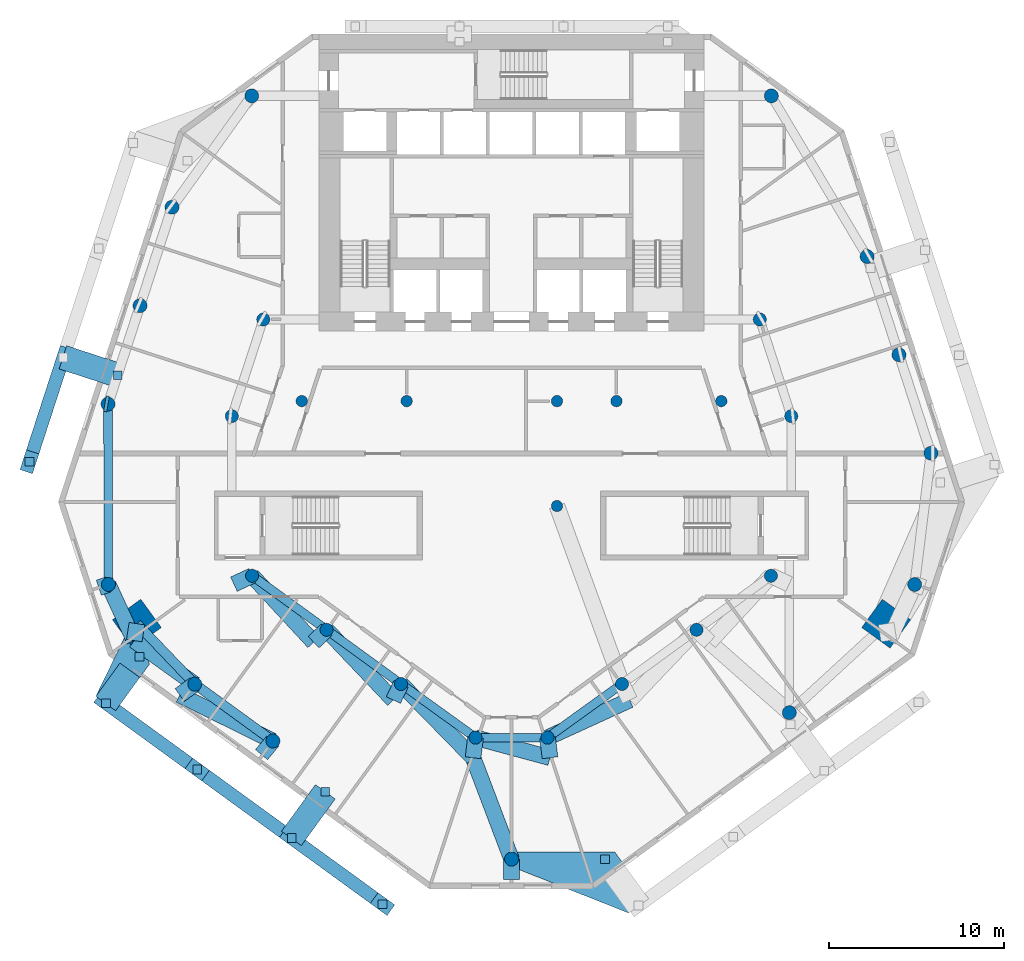
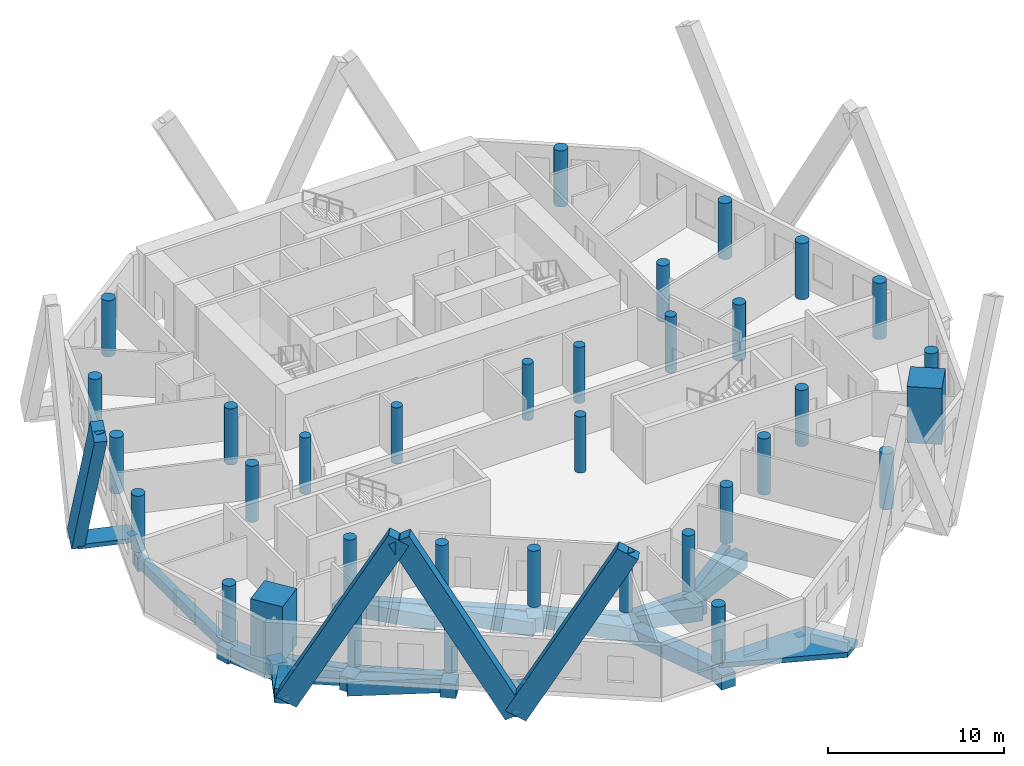
# One storey, part 1 of 11: 34 columns, 28 beams, 9 discrete accessories, 9 members.
"""IFC4 building model written with IfcOpenShell, lengths in metres."""

from ifc_helpers import new_model, si_unit, direction, frame, origin, origin_2d, place, context, subcontext, project, spatial, polyline, rectangle, circle, outline, extrude, material, layer, layer_set, material_profile, profile_set, type_object, element, aggregate, save


model = new_model("IFC4")

# Units and contexts
model_context = context("Model", 3, precision=1e-05, world=origin(), true_north=direction((0.0, 1.0)))
body_context = subcontext(model_context, "Body", "Model", "MODEL_VIEW")
ifc_project = project(units=[si_unit("LENGTHUNIT", "METRE"), si_unit("AREAUNIT", "SQUARE_METRE"), si_unit("VOLUMEUNIT", "CUBIC_METRE"), si_unit("PLANEANGLEUNIT", "RADIAN"), si_unit("MASSUNIT", "GRAM", prefix="KILO")], contexts=[model_context])

# Site, building, storey
site_placement = place(None, origin())
site = spatial("IfcSite", under=ifc_project, at=site_placement, CompositionType="ELEMENT")
building_placement = place(site_placement, origin())
building = spatial("IfcBuilding", under=site, at=building_placement, Name="White Candle Pilgrim Tower", CompositionType="ELEMENT")
storey_placement = place(building_placement, frame((0.0, 0.0, 90.800048828125)))
storey = spatial("IfcBuildingStorey", under=building, at=storey_placement, Name="L19", CompositionType="ELEMENT", Elevation=90.800048828125)

# Columns
ifc_material_1 = material(Name="Concrete C80/95", Category="concrete")
ifc_material_profile_1 = material_profile(ifc_material_1, circle(Radius=0.324951171875, at=origin_2d()), Name="RC-COL D650")
ifc_profile_set_1 = profile_set([ifc_material_profile_1], Name="Concrete C80/95")
column_type_1 = type_object("IfcColumnType", Name="Interior column RC-COL D650 C80/95", PredefinedType="COLUMN", material=ifc_profile_set_1)
for number, where, z_axis, x_axis, name in (
    (1, (58.0, 67.0, 0.0), (0.0, 0.0, 1.0), (1.0, 0.0, 0.0), "L19 column I01"),
    (2, (64.0, 67.0, 0.0), (0.0, 0.0, 1.0), (1.0, 0.0, 0.0), "L19 column I02"),
    (3, (72.60009765625, 61.0, 0.0), (0.0, 0.0, 1.0), (1.0, 0.0, 0.0), "L19 column I03"),
    (4, (72.60009765625, 67.0, 0.0), (0.0, 0.0, 1.0), (1.0, 0.0, 0.0), "L19 column I04"),
    (5, (76.0, 67.0, 0.0), (0.0, 0.0, 1.0), (1.0, 0.0, 0.0), "L19 column I05"),
    (6, (82.0, 67.0, 0.0), (0.0, 0.0, 1.0), (1.0, 0.0, 0.0), "L19 column I06"),
):
    element("IfcColumn", number, at=place(storey_placement, frame(where, z_axis=z_axis, x_axis=x_axis)), inside=storey, type_object=column_type_1, Name=name, PredefinedType="COLUMN", context=body_context, shape_type="SweptSolid", body=[
        extrude(circle(Radius=0.324951171875, at=origin_2d()), origin(), (0.0, 0.0, 1.0), 3.89990234375),
    ])
ifc_material_profile_2 = material_profile(ifc_material_1, rectangle(XDim=2.0, YDim=2.0, at=origin_2d()), Name="RC 2000x2000")
ifc_profile_set_2 = profile_set([ifc_material_profile_2], Name="Concrete C80/95")
column_type_2 = type_object("IfcColumnType", Name="Mega column RC 2000x2000 C80/95", PredefinedType="COLUMN", material=ifc_profile_set_2)
for number, where, z_axis, x_axis, name in (
    (7, (48.570068359375, 54.27001953125, 0.0), (0.0, 0.0, 1.0), (-0.809016994375, -0.587785252292, 0.0), "L19 mega column T02"),
    (8, (91.429931640625, 54.27001953125, 0.0), (0.0, 0.0, 1.0), (0.809016994375, -0.587785252292, 0.0), "L19 mega column T07"),
):
    element("IfcColumn", number, at=place(storey_placement, frame(where, z_axis=z_axis, x_axis=x_axis)), inside=storey, type_object=column_type_2, Name=name, PredefinedType="COLUMN", context=body_context, shape_type="SweptSolid", body=[
        extrude(rectangle(XDim=2.0, YDim=2.0, at=origin_2d()), origin(), (0.0, 0.0, 1.0), 3.89990234375),
    ])
ifc_material_profile_3 = material_profile(ifc_material_1, circle(Radius=0.39990234375, at=origin_2d()), Name="RC-COL D800")
ifc_profile_set_3 = profile_set([ifc_material_profile_3], Name="Concrete C80/95")
column_type_3 = type_object("IfcColumnType", Name="Perimeter column RC-COL D800 C80/95", PredefinedType="COLUMN", material=ifc_profile_set_3)
for number, where, z_axis, x_axis, name in (
    (9, (46.93994140625, 56.510009765625, 0.0), (0.0, 0.0, 1.0), (1.0, 0.0, 0.0), "L19 column T01"),
    (10, (51.8798828125, 50.81005859375, 0.0), (0.0, 0.0, 1.0), (1.0, 0.0, 0.0), "L19 column T03"),
    (11, (56.35009765625, 47.56005859375, 0.0), (0.0, 0.0, 1.0), (1.0, 0.0, 0.0), "L19 column T04"),
    (12, (70.0, 40.800048828125, 0.0), (0.0, 0.0, 1.0), (1.0, 0.0, 0.0), "L19 column T05"),
    (13, (85.889892578125, 49.179931640625, 0.0), (0.0, 0.0, 1.0), (1.0, 0.0, 0.0), "L19 column T06"),
    (14, (93.06005859375, 56.510009765625, 0.0), (0.0, 0.0, 1.0), (1.0, 0.0, 0.0), "L19 column T08"),
    (15, (93.989990234375, 64.02001953125, 0.0), (0.0, 0.0, 1.0), (1.0, 0.0, 0.0), "L19 column T09"),
    (16, (92.159912109375, 69.64990234375, 0.0), (0.0, 0.0, 1.0), (1.0, 0.0, 0.0), "L19 column T10"),
    (17, (90.340087890625, 75.27001953125, 0.0), (0.0, 0.0, 1.0), (1.0, 0.0, 0.0), "L19 column T11"),
    (18, (84.860107421875, 84.4599609375, 0.0), (0.0, 0.0, 1.0), (1.0, 0.0, 0.0), "L19 column T12"),
    (19, (55.139892578125, 84.4599609375, 0.0), (0.0, 0.0, 1.0), (1.0, 0.0, 0.0), "L19 column T13"),
    (20, (50.580078125, 78.090087890625, 0.0), (0.0, 0.0, 1.0), (1.0, 0.0, 0.0), "L19 column T14"),
    (21, (48.75, 72.4599609375, 0.0), (0.0, 0.0, 1.0), (1.0, 0.0, 0.0), "L19 column T15"),
    (22, (46.919921875, 66.830078125, 0.0), (0.0, 0.0, 1.0), (1.0, 0.0, 0.0), "L19 column T16"),
):
    element("IfcColumn", number, at=place(storey_placement, frame(where, z_axis=z_axis, x_axis=x_axis)), inside=storey, type_object=column_type_3, Name=name, PredefinedType="COLUMN", context=body_context, shape_type="SweptSolid", body=[
        extrude(circle(Radius=0.39990234375, at=origin_2d()), origin(), (0.0, 0.0, 1.0), 3.89990234375),
    ])
ifc_material_profile_4 = material_profile(ifc_material_1, circle(Radius=0.375, at=origin_2d()), Name="RC-COL D750")
ifc_profile_set_4 = profile_set([ifc_material_profile_4], Name="Concrete C80/95")
column_type_4 = type_object("IfcColumnType", Name="Ring column RC-COL D750 C80/95", PredefinedType="COLUMN", material=ifc_profile_set_4)
for number, where, z_axis, x_axis, name in (
    (23, (55.159912109375, 57.010009765625, 0.0), (0.0, 0.0, 1.0), (1.0, 0.0, 0.0), "L19 column R01"),
    (24, (59.419921875, 53.919921875, 0.0), (0.0, 0.0, 1.0), (1.0, 0.0, 0.0), "L19 column R02"),
    (25, (63.679931640625, 50.820068359375, 0.0), (0.0, 0.0, 1.0), (1.0, 0.0, 0.0), "L19 column R03"),
    (26, (67.93994140625, 47.75, 0.0), (0.0, 0.0, 1.0), (1.0, 0.0, 0.0), "L19 column R04"),
    (27, (72.06005859375, 47.75, 0.0), (0.0, 0.0, 1.0), (1.0, 0.0, 0.0), "L19 column R05"),
    (28, (76.320068359375, 50.820068359375, 0.0), (0.0, 0.0, 1.0), (1.0, 0.0, 0.0), "L19 column R06"),
    (29, (80.580078125, 53.919921875, 0.0), (0.0, 0.0, 1.0), (1.0, 0.0, 0.0), "L19 column R07"),
    (30, (84.840087890625, 57.010009765625, 0.0), (0.0, 0.0, 1.0), (1.0, 0.0, 0.0), "L19 column R08"),
    (31, (86.0, 66.139892578125, 0.0), (0.0, 0.0, 1.0), (1.0, 0.0, 0.0), "L19 column R09"),
    (32, (84.199951171875, 71.669921875, 0.0), (0.0, 0.0, 1.0), (1.0, 0.0, 0.0), "L19 column R10"),
    (33, (55.800048828125, 71.669921875, 0.0), (0.0, 0.0, 1.0), (1.0, 0.0, 0.0), "L19 column R11"),
    (34, (54.0, 66.139892578125, 0.0), (0.0, 0.0, 1.0), (1.0, 0.0, 0.0), "L19 column R12"),
):
    element("IfcColumn", number, at=place(storey_placement, frame(where, z_axis=z_axis, x_axis=x_axis)), inside=storey, type_object=column_type_4, Name=name, PredefinedType="COLUMN", context=body_context, shape_type="SweptSolid", body=[
        extrude(circle(Radius=0.375, at=origin_2d()), origin(), (0.0, 0.0, 1.0), 3.89990234375),
    ])

# Member
ifc_material_2 = material(Name="Concrete C80/95, white", Category="concrete")
ifc_material_profile_5 = material_profile(ifc_material_2, rectangle(XDim=0.75, YDim=1.35009765625, at=origin_2d()), Name="RC-DG 750x1350")
ifc_profile_set_5 = profile_set([ifc_material_profile_5], Name="Concrete C80/95, white")
member_type_1 = type_object("IfcMemberType", Name="Exoskeleton diagonal RC-DG 750x1350 C80/95", PredefinedType="BRACE", material=ifc_profile_set_5)
member_1_placement = place(storey_placement, frame((46.80029296875, 49.722412109375, 0.0), z_axis=(0.390696711678, -0.283859012998, 0.875659831341), x_axis=(0.587786927989, 0.809015776908, 0.0)))
member_1 = element("IfcMember", 35, at=member_1_placement, inside=storey, type_object=member_type_1, Name="Exoskeleton diagonal EX097", PredefinedType="BRACE", context=body_context, shape_type="SweptSolid", body=[
    extrude(rectangle(XDim=0.75, YDim=1.35009765625, at=origin_2d()), origin(), (0.0, 0.0, 1.0), 13.361328125),
])

member_2_placement = place(storey_placement, frame((57.42333984375, 42.00439453125, 0.0), z_axis=(-0.401049754542, 0.291372704633, 0.868482032847), x_axis=(-0.587776012822, -0.809023707162, 0.0)))
member_2 = element("IfcMember", 36, at=member_2_placement, inside=storey, type_object=member_type_1, Name="Exoskeleton diagonal EX098", PredefinedType="BRACE", context=body_context, shape_type="SweptSolid", body=[
    extrude(rectangle(XDim=0.75, YDim=1.35009765625, at=origin_2d()), origin(), (0.0, 0.0, 1.0), 13.4716796875),
])

member_3_placement = place(storey_placement, frame((57.42333984375, 42.00439453125, 0.0), z_axis=(0.389448616271, -0.282946043005, 0.876510873881), x_axis=(0.587778536732, 0.809021873473, 0.0)))
member_3 = element("IfcMember", 37, at=member_3_placement, inside=storey, type_object=member_type_1, Name="Exoskeleton diagonal EX099", PredefinedType="BRACE", context=body_context, shape_type="SweptSolid", body=[
    extrude(rectangle(XDim=0.75, YDim=1.35009765625, at=origin_2d()), origin(), (0.0, 0.0, 1.0), 13.348388671875),
])

member_4_placement = place(storey_placement, frame((44.362548828125, 69.494873046875, 0.0), z_axis=(-0.146006482917, -0.449329939619, 0.881353908659), x_axis=(0.951050086915, -0.309036781271, 0.0)))
member_4 = element("IfcMember", 38, at=member_4_placement, inside=storey, type_object=member_type_1, Name="Exoskeleton diagonal EX111", PredefinedType="BRACE", context=body_context, shape_type="SweptSolid", body=[
    extrude(rectangle(XDim=0.75, YDim=1.35009765625, at=origin_2d()), origin(), (0.0, 0.0, 1.0), 13.27490234375),
])

ifc_material_3 = material(Name="Concrete C70/85, white", Category="concrete")
ifc_layer_1 = layer(ifc_material_3, 0.300048828125)
ifc_layer_set_1 = layer_set([ifc_layer_1], Name="Node tie strut 3300x1400x300 C70/85")
member_type_2 = type_object("IfcMemberType", Name="Node tie strut 3300x1400x300 C70/85", PredefinedType="STRUT", material=ifc_layer_set_1)
member_5_placement = place(storey_placement, frame((0.0, 0.0, -0.35009765625)))
member_5 = element("IfcMember", 39, at=member_5_placement, inside=storey, type_object=member_type_2, Name="Node tie strut NC055", PredefinedType="STRUT", context=body_context, shape_type="SweptSolid", body=[
    extrude(outline(polyline([(76.713623046875, 37.7138671875), (77.84619140625, 38.53662109375), (75.906494140625, 41.206298828125), (70.0, 41.199951171875), (70.026123046875, 41.19921875), (70.05224609375, 41.196533203125), (70.077880859375, 41.1923828125), (70.103515625, 41.186279296875), (70.128662109375, 41.1787109375), (70.153076171875, 41.169677734375), (70.177001953125, 41.15869140625), (70.199951171875, 41.146484375), (70.22216796875, 41.132568359375), (70.243408203125, 41.1171875), (70.263671875, 41.1005859375), (70.28271484375, 41.082763671875), (70.30078125, 41.063720703125), (70.3173828125, 41.04345703125), (70.33251953125, 41.022216796875), (70.346435546875, 41.0), (70.358642578125, 40.976806640625), (70.36962890625, 40.953125), (70.37890625, 40.9287109375), (70.386474609375, 40.903564453125), (70.392333984375, 40.8779296875), (70.396484375, 40.852294921875), (70.399169921875, 40.826171875), (70.39990234375, 40.800048828125), (70.399169921875, 40.773681640625), (70.396484375, 40.747802734375), (70.392333984375, 40.721923828125), (70.386474609375, 40.696533203125), (70.37890625, 40.67138671875), (70.36962890625, 40.64697265625), (70.358642578125, 40.623046875), (70.346435546875, 40.60009765625), (70.33251953125, 40.577880859375), (70.3173828125, 40.556396484375), (70.30078125, 40.536376953125), (70.28271484375, 40.51708984375), (70.263671875, 40.499267578125), (70.243408203125, 40.482666015625), (70.22216796875, 40.46728515625), (70.199951171875, 40.45361328125), (70.177001953125, 40.44140625), (70.153076171875, 40.430419921875), (70.128662109375, 40.421142578125), (70.103515625, 40.41357421875), (70.077880859375, 40.40771484375), (70.05224609375, 40.4033203125), (70.026123046875, 40.40087890625), (70.0, 40.39990234375), (69.973876953125, 40.40087890625), (69.94775390625, 40.4033203125), (69.922119140625, 40.40771484375), (69.896484375, 40.41357421875), (69.871337890625, 40.421142578125), (69.846923828125, 40.430419921875), (76.713623046875, 37.7138671875)])), origin(), (0.0, 0.0, 1.0), 0.35009765625),
])

member_6_placement = place(storey_placement, frame((0.0, 0.0, -0.35009765625)))
member_6 = element("IfcMember", 40, at=member_6_placement, inside=storey, type_object=member_type_2, Name="Node tie strut NC057", PredefinedType="STRUT", context=body_context, shape_type="SweptSolid", body=[
    extrude(outline(polyline([(47.35205078125, 49.290771484375), (49.291748046875, 51.96044921875), (48.859130859375, 53.243896484375), (48.348876953125, 52.873291015625), (47.88134765625, 53.5166015625), (46.21923828125, 50.11376953125), (47.35205078125, 49.290771484375)])), origin(), (0.0, 0.0, 1.0), 0.35009765625),
])

member_7_placement = place(storey_placement, origin())
element("IfcMember", 41, at=member_7_placement, inside=storey, type_object=member_type_2, Name="Node tie strut NC057", PredefinedType="STRUT", context=body_context, shape_type="SweptSolid", body=[
    extrude(outline(polyline([(47.35205078125, 49.290771484375), (48.7333984375, 51.19189453125), (47.6005859375, 52.014892578125), (46.21923828125, 50.11376953125), (47.35205078125, 49.290771484375)])), origin(), (0.0, 0.0, 1.0), 0.64990234375),
])

member_8_placement = place(storey_placement, frame((58.37841796875, 43.319091796875, -0.30029296875), z_axis=(0.0, 0.0, 1.0), x_axis=(0.809016994375, -0.587785252292, 0.0)))
member_8 = element("IfcMember", 42, at=member_8_placement, inside=storey, type_object=member_type_2, Name="Node tie strut NC058", PredefinedType="STRUT", context=body_context, shape_type="SweptSolid", body=[
    extrude(rectangle(XDim=1.39990234375, YDim=3.300048828125, at=origin_2d()), origin(), (0.0, 0.0, 1.0), 0.300048828125),
])

member_9_placement = place(storey_placement, frame((45.907958984375, 68.992919921875, -0.30029296875), z_axis=(0.0, 0.0, 1.0), x_axis=(-0.309016994375, -0.951056516295, 0.0)))
member_9 = element("IfcMember", 43, at=member_9_placement, inside=storey, type_object=member_type_2, Name="Node tie strut NC060", PredefinedType="STRUT", context=body_context, shape_type="SweptSolid", body=[
    extrude(rectangle(XDim=1.39990234375, YDim=3.300048828125, at=origin_2d()), origin(), (0.0, 0.0, 1.0), 0.300048828125),
])

# Beams
ifc_material_4 = material(Name="Concrete C50/60", Category="concrete")
ifc_material_profile_6 = material_profile(ifc_material_4, rectangle(XDim=0.5, YDim=0.60009765625, at=origin_2d()), Name="RC-BM 500x600")
ifc_profile_set_6 = profile_set([ifc_material_profile_6], Name="Concrete C50/60")
beam_type_1 = type_object("IfcBeamType", Name="Ring beam RC-BM 500x600 C50/60", PredefinedType="BEAM", material=ifc_profile_set_6)
beam_1_placement = place(storey_placement, frame((55.159912109375, 57.010009765625, -0.60009765625), z_axis=(0.809467675096, -0.587164442873, 0.0), x_axis=(0.587164442873, 0.809467675096, 0.0)))
element("IfcBeam", 44, at=beam_1_placement, inside=storey, type_object=beam_type_1, Name="L19 ring beam R01", PredefinedType="BEAM", context=body_context, shape_type="SweptSolid", body=[
    extrude(rectangle(XDim=0.5, YDim=0.60009765625, at=origin_2d()), origin(), (0.0, 0.0, 1.0), 5.2626953125),
])
beam_2_placement = place(storey_placement, frame((59.419921875, 53.919921875, -0.60009765625), z_axis=(0.808585766175, -0.588378329596, 0.0), x_axis=(0.588378329596, 0.808585766175, 0.0)))
element("IfcBeam", 45, at=beam_2_placement, inside=storey, type_object=beam_type_1, Name="L19 ring beam R02", PredefinedType="BEAM", context=body_context, shape_type="SweptSolid", body=[
    extrude(rectangle(XDim=0.5, YDim=0.60009765625, at=origin_2d()), origin(), (0.0, 0.0, 1.0), 5.2685546875),
])
beam_3_placement = place(storey_placement, frame((63.679931640625, 50.820068359375, -0.60009765625), z_axis=(0.811275874346, -0.584663540598, 0.0), x_axis=(0.584663540598, 0.811275874346, 0.0)))
element("IfcBeam", 46, at=beam_3_placement, inside=storey, type_object=beam_type_1, Name="L19 ring beam R03", PredefinedType="BEAM", context=body_context, shape_type="SweptSolid", body=[
    extrude(rectangle(XDim=0.5, YDim=0.60009765625, at=origin_2d()), origin(), (0.0, 0.0, 1.0), 5.2509765625),
])
beam_4_placement = place(storey_placement, frame((67.93994140625, 47.75, -0.60009765625), z_axis=(1.0, 0.0, 0.0), x_axis=(0.0, 1.0, 0.0)))
element("IfcBeam", 47, at=beam_4_placement, inside=storey, type_object=beam_type_1, Name="L19 ring beam R04", PredefinedType="BEAM", context=body_context, shape_type="SweptSolid", body=[
    extrude(rectangle(XDim=0.5, YDim=0.60009765625, at=origin_2d()), origin(), (0.0, 0.0, 1.0), 4.1201171875),
])
beam_5_placement = place(storey_placement, frame((72.06005859375, 47.75, -0.60009765625), z_axis=(0.811275874346, 0.584663540598, 0.0), x_axis=(-0.584663540598, 0.811275874346, 0.0)))
element("IfcBeam", 48, at=beam_5_placement, inside=storey, type_object=beam_type_1, Name="L19 ring beam R05", PredefinedType="BEAM", context=body_context, shape_type="SweptSolid", body=[
    extrude(rectangle(XDim=0.5, YDim=0.60009765625, at=origin_2d()), origin(), (0.0, 0.0, 1.0), 5.2509765625),
])
ifc_material_profile_7 = material_profile(ifc_material_4, rectangle(XDim=0.5, YDim=0.699951171875, at=origin_2d()), Name="RC-BM 500x700")
ifc_profile_set_7 = profile_set([ifc_material_profile_7], Name="Concrete C50/60")
beam_type_2 = type_object("IfcBeamType", Name="Spandrel beam RC-BM 500x700 C50/60", PredefinedType="BEAM", material=ifc_profile_set_7)
beam_6_placement = place(storey_placement, frame((46.919921875, 66.830078125, -0.650146484375), z_axis=(0.00193986056, -0.999998118469, 0.0), x_axis=(0.999998118469, 0.00193986056, 0.0)))
element("IfcBeam", 49, at=beam_6_placement, inside=storey, type_object=beam_type_2, Name="L19 spandrel beam T16", PredefinedType="BEAM", context=body_context, shape_type="SweptSolid", body=[
    extrude(rectangle(XDim=0.5, YDim=0.699951171875, at=origin_2d()), origin(), (0.0, 0.0, 1.0), 10.320068359375),
])
ifc_material_profile_8 = material_profile(ifc_material_4, rectangle(XDim=0.550048828125, YDim=0.5, at=origin_2d()), Name="RC-BM 550x500")
ifc_profile_set_8 = profile_set([ifc_material_profile_8], Name="Concrete C50/60")
beam_type_3 = type_object("IfcBeamType", Name="Spandrel beam RC-BM 550x500 C50/60", PredefinedType="BEAM", material=ifc_profile_set_8)
beam_7_placement = place(storey_placement, frame((48.570068359375, 54.27001953125, -0.550048828125), z_axis=(0.691253902959, -0.722611957862, 0.0), x_axis=(0.722611957862, 0.691253902959, 0.0)))
element("IfcBeam", 50, at=beam_7_placement, inside=storey, type_object=beam_type_3, Name="L19 spandrel beam T02", PredefinedType="BEAM", context=body_context, shape_type="SweptSolid", body=[
    extrude(rectangle(XDim=0.550048828125, YDim=0.5, at=origin_2d()), origin(), (0.0, 0.0, 1.0), 4.7880859375),
])
beam_8_placement = place(storey_placement, frame((51.8798828125, 50.81005859375, -0.550048828125), z_axis=(0.80882776558, -0.58804561526, 0.0), x_axis=(0.58804561526, 0.80882776558, 0.0)))
element("IfcBeam", 51, at=beam_8_placement, inside=storey, type_object=beam_type_3, Name="L19 spandrel beam T03", PredefinedType="BEAM", context=body_context, shape_type="SweptSolid", body=[
    extrude(rectangle(XDim=0.550048828125, YDim=0.5, at=origin_2d()), origin(), (0.0, 0.0, 1.0), 5.52685546875),
])
ifc_material_profile_9 = material_profile(ifc_material_4, rectangle(XDim=0.89990234375, YDim=1.0, at=origin_2d()), Name="RC-BM 900x1000")
ifc_profile_set_9 = profile_set([ifc_material_profile_9], Name="Concrete C50/60")
beam_type_4 = type_object("IfcBeamType", Name="Transfer girder RC-BM 900x1000 C50/60", PredefinedType="BEAM", material=ifc_profile_set_9)
beam_9_placement = place(storey_placement, frame((67.800048828125, 46.60009765625, -0.800048828125), z_axis=(0.120765655749, 0.992681044642, 0.0), x_axis=(-0.992681044642, 0.120765655749, 0.0)))
element("IfcBeam", 52, at=beam_9_placement, inside=storey, type_object=beam_type_4, Name="L19 transfer girder X01", PredefinedType="BEAM", context=body_context, shape_type="SweptSolid", body=[
    extrude(rectangle(XDim=0.89990234375, YDim=1.0, at=origin_2d()), origin(), (0.0, 0.0, 1.0), 1.158447265625),
])
beam_10_placement = place(storey_placement, frame((67.93994140625, 47.75, -0.800048828125), z_axis=(0.965446206917, -0.260602420459, 0.0), x_axis=(0.260602420459, 0.965446206917, 0.0)))
element("IfcBeam", 53, at=beam_10_placement, inside=storey, type_object=beam_type_4, Name="L19 transfer girder X02", PredefinedType="BEAM", context=body_context, shape_type="SweptSolid", body=[
    extrude(rectangle(XDim=0.89990234375, YDim=1.0, at=origin_2d()), origin(), (0.0, 0.0, 1.0), 4.41259765625),
])
beam_11_placement = place(storey_placement, frame((72.199951171875, 46.60009765625, -0.800048828125), z_axis=(-0.120765655749, 0.992681044642, 0.0), x_axis=(-0.992681044642, -0.120765655749, 0.0)))
element("IfcBeam", 54, at=beam_11_placement, inside=storey, type_object=beam_type_4, Name="L19 transfer girder X03", PredefinedType="BEAM", context=body_context, shape_type="SweptSolid", body=[
    extrude(rectangle(XDim=0.89990234375, YDim=1.0, at=origin_2d()), origin(), (0.0, 0.0, 1.0), 1.158447265625),
])
beam_12_placement = place(storey_placement, frame((72.06005859375, 47.75, -0.800048828125), z_axis=(0.909375444924, 0.415976321646, 0.0), x_axis=(-0.415976321646, 0.909375444924, 0.0)))
element("IfcBeam", 55, at=beam_12_placement, inside=storey, type_object=beam_type_4, Name="L19 transfer girder X04", PredefinedType="BEAM", context=body_context, shape_type="SweptSolid", body=[
    extrude(rectangle(XDim=0.89990234375, YDim=1.0, at=origin_2d()), origin(), (0.0, 0.0, 1.0), 5.168212890625),
])
beam_13_placement = place(storey_placement, frame((70.0, 39.64990234375, -0.800048828125), z_axis=(0.0, 1.0, 0.0), x_axis=(-1.0, 0.0, 0.0)))
element("IfcBeam", 56, at=beam_13_placement, inside=storey, type_object=beam_type_4, Name="L19 transfer girder X05", PredefinedType="BEAM", context=body_context, shape_type="SweptSolid", body=[
    extrude(rectangle(XDim=0.89990234375, YDim=1.0, at=origin_2d()), origin(), (0.0, 0.0, 1.0), 1.150146484375),
])
beam_14_placement = place(storey_placement, frame((70.0, 40.800048828125, -0.800048828125), z_axis=(-0.354644742633, 0.935001126482, 0.0), x_axis=(-0.935001126482, -0.354644742633, 0.0)))
element("IfcBeam", 57, at=beam_14_placement, inside=storey, type_object=beam_type_4, Name="L19 transfer girder X06", PredefinedType="BEAM", context=body_context, shape_type="SweptSolid", body=[
    extrude(rectangle(XDim=0.89990234375, YDim=1.0, at=origin_2d()), origin(), (0.0, 0.0, 1.0), 6.203369140625),
])
beam_15_placement = place(storey_placement, frame((54.1201171875, 56.530029296875, -0.800048828125), z_axis=(0.90793442521, 0.419112251693, 0.0), x_axis=(-0.419112251693, 0.90793442521, 0.0)))
element("IfcBeam", 58, at=beam_15_placement, inside=storey, type_object=beam_type_4, Name="L19 transfer girder X07", PredefinedType="BEAM", context=body_context, shape_type="SweptSolid", body=[
    extrude(rectangle(XDim=0.89990234375, YDim=1.0, at=origin_2d()), origin(), (0.0, 0.0, 1.0), 1.145263671875),
])
beam_16_placement = place(storey_placement, frame((55.159912109375, 57.010009765625, -0.800048828125), z_axis=(0.679559336008, -0.73362054827, 0.0), x_axis=(0.73362054827, 0.679559336008, 0.0)))
element("IfcBeam", 59, at=beam_16_placement, inside=storey, type_object=beam_type_4, Name="L19 transfer girder X08", PredefinedType="BEAM", context=body_context, shape_type="SweptSolid", body=[
    extrude(rectangle(XDim=0.89990234375, YDim=1.0, at=origin_2d()), origin(), (0.0, 0.0, 1.0), 5.179931640625),
])
beam_17_placement = place(storey_placement, frame((51.02001953125, 50.18994140625, -0.800048828125), z_axis=(0.811079826377, 0.584935479556, 0.0), x_axis=(-0.584935479556, 0.811079826377, 0.0)))
element("IfcBeam", 60, at=beam_17_placement, inside=storey, type_object=beam_type_4, Name="L19 transfer girder X11", PredefinedType="BEAM", context=body_context, shape_type="SweptSolid", body=[
    extrude(rectangle(XDim=0.89990234375, YDim=1.0, at=origin_2d()), origin(), (0.0, 0.0, 1.0), 1.06005859375),
])
beam_18_placement = place(storey_placement, frame((51.8798828125, 50.81005859375, -0.800048828125), z_axis=(-0.811665764004, 0.584122151219, 0.0), x_axis=(-0.584122151219, -0.811665764004, 0.0)))
element("IfcBeam", 61, at=beam_18_placement, inside=storey, type_object=beam_type_4, Name="L19 transfer girder X12", PredefinedType="BEAM", context=body_context, shape_type="SweptSolid", body=[
    extrude(rectangle(XDim=0.89990234375, YDim=1.0, at=origin_2d()), origin(), (0.0, 0.0, 1.0), 4.2626953125),
])
beam_19_placement = place(storey_placement, frame((58.679931640625, 53.2099609375, -0.800048828125), z_axis=(0.721596617107, 0.692313745479, 0.0), x_axis=(-0.692313745479, 0.721596617107, 0.0)))
element("IfcBeam", 62, at=beam_19_placement, inside=storey, type_object=beam_type_4, Name="L19 transfer girder X13", PredefinedType="BEAM", context=body_context, shape_type="SweptSolid", body=[
    extrude(rectangle(XDim=0.89990234375, YDim=1.0, at=origin_2d()), origin(), (0.0, 0.0, 1.0), 1.025390625),
])
beam_20_placement = place(storey_placement, frame((59.419921875, 53.919921875, -0.800048828125), z_axis=(0.688848958551, -0.724904898799, 0.0), x_axis=(0.724904898799, 0.688848958551, 0.0)))
element("IfcBeam", 63, at=beam_20_placement, inside=storey, type_object=beam_type_4, Name="L19 transfer girder X14", PredefinedType="BEAM", context=body_context, shape_type="SweptSolid", body=[
    extrude(rectangle(XDim=0.89990234375, YDim=1.0, at=origin_2d()), origin(), (0.0, 0.0, 1.0), 5.545654296875),
])
beam_21_placement = place(storey_placement, frame((63.239990234375, 49.89990234375, -0.800048828125), z_axis=(0.431345383726, 0.902186876394, 0.0), x_axis=(-0.902186876394, 0.431345383726, 0.0)))
element("IfcBeam", 64, at=beam_21_placement, inside=storey, type_object=beam_type_4, Name="L19 transfer girder X19", PredefinedType="BEAM", context=body_context, shape_type="SweptSolid", body=[
    extrude(rectangle(XDim=0.89990234375, YDim=1.0, at=origin_2d()), origin(), (0.0, 0.0, 1.0), 1.02001953125),
])
beam_22_placement = place(storey_placement, frame((63.679931640625, 50.820068359375, -0.800048828125), z_axis=(0.69859072322, -0.715521489147, 0.0), x_axis=(0.715521489147, 0.69859072322, 0.0)))
element("IfcBeam", 65, at=beam_22_placement, inside=storey, type_object=beam_type_4, Name="L19 transfer girder X20", PredefinedType="BEAM", context=body_context, shape_type="SweptSolid", body=[
    extrude(rectangle(XDim=0.89990234375, YDim=1.0, at=origin_2d()), origin(), (0.0, 0.0, 1.0), 5.897705078125),
])
beam_23_placement = place(storey_placement, frame((55.699951171875, 46.780029296875, -0.800048828125), z_axis=(0.640255342412, 0.76816215509, 0.0), x_axis=(-0.76816215509, 0.640255342412, 0.0)))
element("IfcBeam", 66, at=beam_23_placement, inside=storey, type_object=beam_type_4, Name="L19 transfer girder X23", PredefinedType="BEAM", context=body_context, shape_type="SweptSolid", body=[
    extrude(rectangle(XDim=0.89990234375, YDim=1.0, at=origin_2d()), origin(), (0.0, 0.0, 1.0), 1.015380859375),
])
beam_24_placement = place(storey_placement, frame((56.35009765625, 47.56005859375, -0.800048828125), z_axis=(-0.896780675992, 0.442475331705, 0.0), x_axis=(-0.442475331705, -0.896780675992, 0.0)))
element("IfcBeam", 67, at=beam_24_placement, inside=storey, type_object=beam_type_4, Name="L19 transfer girder X24", PredefinedType="BEAM", context=body_context, shape_type="SweptSolid", body=[
    extrude(rectangle(XDim=0.89990234375, YDim=1.0, at=origin_2d()), origin(), (0.0, 0.0, 1.0), 5.943603515625),
])
beam_25_placement = place(storey_placement, frame((48.419921875, 53.300048828125, -0.800048828125), z_axis=(0.15297298713, 0.988230370515, 0.0), x_axis=(-0.988230370515, 0.15297298713, 0.0)))
element("IfcBeam", 68, at=beam_25_placement, inside=storey, type_object=beam_type_4, Name="L19 transfer girder X25", PredefinedType="BEAM", context=body_context, shape_type="SweptSolid", body=[
    extrude(rectangle(XDim=0.89990234375, YDim=1.0, at=origin_2d()), origin(), (0.0, 0.0, 1.0), 0.9814453125),
])
beam_26_placement = place(storey_placement, frame((46.389892578125, 56.330078125, -0.800048828125), z_axis=(0.950440199817, 0.310907424441, 0.0), x_axis=(-0.310907424441, 0.950440199817, 0.0)))
element("IfcBeam", 69, at=beam_26_placement, inside=storey, type_object=beam_type_4, Name="L19 transfer girder X27", PredefinedType="BEAM", context=body_context, shape_type="SweptSolid", body=[
    extrude(rectangle(XDim=0.89990234375, YDim=1.0, at=origin_2d()), origin(), (0.0, 0.0, 1.0), 0.57861328125),
])
beam_27_placement = place(storey_placement, frame((46.93994140625, 56.510009765625, -0.800048828125), z_axis=(0.418698983555, -0.908125080135, 0.0), x_axis=(0.908125080135, 0.418698983555, 0.0)))
element("IfcBeam", 70, at=beam_27_placement, inside=storey, type_object=beam_type_4, Name="L19 transfer girder X28", PredefinedType="BEAM", context=body_context, shape_type="SweptSolid", body=[
    extrude(rectangle(XDim=0.89990234375, YDim=1.0, at=origin_2d()), origin(), (0.0, 0.0, 1.0), 3.53466796875),
])
beam_28_placement = place(storey_placement, frame((46.739990234375, 66.860107421875, -0.800048828125), z_axis=(0.986357728563, -0.164616011687, 0.0), x_axis=(0.164616011687, 0.986357728563, 0.0)))
element("IfcBeam", 71, at=beam_28_placement, inside=storey, type_object=beam_type_4, Name="L19 transfer girder X38", PredefinedType="BEAM", context=body_context, shape_type="SweptSolid", body=[
    extrude(rectangle(XDim=0.89990234375, YDim=1.0, at=origin_2d()), origin(), (0.0, 0.0, 1.0), 0.182373046875),
])

# Discrete accessory
ifc_material_5 = material(Name="Steel S355", Category="steel")
ifc_layer_2 = layer(ifc_material_5, 0.02490234375)
ifc_layer_set_2 = layer_set([ifc_layer_2], Name="Gusset plate 500x500x25 S355")
discrete_accessory_type = type_object("IfcDiscreteAccessoryType", Name="Gusset plate 500x500x25 S355", PredefinedType="BRACKET", material=ifc_layer_set_2)
discrete_accessory_1_placement = place(storey_placement, frame((46.80029296875, 49.722412109375, -0.012451171875), z_axis=(0.0, 0.0, 1.0), x_axis=(1.0, 0.0, 0.0)))
discrete_accessory_1 = element("IfcDiscreteAccessory", 72, at=discrete_accessory_1_placement, type_object=discrete_accessory_type, Name="Gusset plate 0106", PredefinedType="BRACKET", context=body_context, shape_type="SweptSolid", body=[
    extrude(rectangle(XDim=0.5, YDim=0.5, at=origin_2d()), origin(), (0.0, 0.0, 1.0), 0.02490234375),
])

placement = place(building_placement, frame((0.0, 0.0, 102.5)))
discrete_accessory_2_placement = place(placement, frame((52.0205078125, 45.9296875, -0.012451171875), z_axis=(0.0, 0.0, 1.0), x_axis=(1.0, 0.0, 0.0)))
discrete_accessory_2 = element("IfcDiscreteAccessory", 73, at=discrete_accessory_2_placement, type_object=discrete_accessory_type, Name="Gusset plate 0107", PredefinedType="BRACKET", context=body_context, shape_type="SweptSolid", body=[
    extrude(rectangle(XDim=0.5, YDim=0.5, at=origin_2d()), origin(), (0.0, 0.0, 1.0), 0.02490234375),
])

aggregate(member_1, [discrete_accessory_1, discrete_accessory_2])

discrete_accessory_3_placement = place(storey_placement, frame((57.42333984375, 42.00439453125, -0.012451171875), z_axis=(0.0, 0.0, 1.0), x_axis=(1.0, 0.0, 0.0)))
discrete_accessory_3 = element("IfcDiscreteAccessory", 74, at=discrete_accessory_3_placement, type_object=discrete_accessory_type, Name="Gusset plate 0108", PredefinedType="BRACKET", context=body_context, shape_type="SweptSolid", body=[
    extrude(rectangle(XDim=0.5, YDim=0.5, at=origin_2d()), origin(), (0.0, 0.0, 1.0), 0.02490234375),
])

aggregate(member_2, [discrete_accessory_3])

discrete_accessory_4_placement = place(placement, frame((62.621826171875, 38.2275390625, -0.012451171875), z_axis=(0.0, 0.0, 1.0), x_axis=(1.0, 0.0, 0.0)))
discrete_accessory_4 = element("IfcDiscreteAccessory", 75, at=discrete_accessory_4_placement, type_object=discrete_accessory_type, Name="Gusset plate 0109", PredefinedType="BRACKET", context=body_context, shape_type="SweptSolid", body=[
    extrude(rectangle(XDim=0.5, YDim=0.5, at=origin_2d()), origin(), (0.0, 0.0, 1.0), 0.02490234375),
])

aggregate(member_3, [discrete_accessory_4])

discrete_accessory_5_placement = place(placement, frame((42.42431640625, 63.530029296875, -0.012451171875), z_axis=(0.0, 0.0, 1.0), x_axis=(1.0, 0.0, 0.0)))
discrete_accessory_5 = element("IfcDiscreteAccessory", 76, at=discrete_accessory_5_placement, type_object=discrete_accessory_type, Name="Gusset plate 0125", PredefinedType="BRACKET", context=body_context, shape_type="SweptSolid", body=[
    extrude(rectangle(XDim=0.5, YDim=0.5, at=origin_2d()), origin(), (0.0, 0.0, 1.0), 0.02490234375),
])

aggregate(member_4, [discrete_accessory_5])

discrete_accessory_6_placement = place(storey_placement, frame((75.34033203125, 40.794921875, -0.16259765625), z_axis=(0.0, 0.0, 1.0), x_axis=(1.0, 0.0, 0.0)))
discrete_accessory_6 = element("IfcDiscreteAccessory", 77, at=discrete_accessory_6_placement, type_object=discrete_accessory_type, Name="Gusset plate 0436", PredefinedType="BRACKET", context=body_context, shape_type="SweptSolid", body=[
    extrude(rectangle(XDim=0.5, YDim=0.5, at=origin_2d()), origin(), (0.0, 0.0, 1.0), 0.02490234375),
])

aggregate(member_5, [discrete_accessory_6])

discrete_accessory_7_placement = place(storey_placement, frame((48.725341796875, 52.3720703125, -0.16259765625), z_axis=(0.0, 0.0, 1.0), x_axis=(1.0, 0.0, 0.0)))
discrete_accessory_7 = element("IfcDiscreteAccessory", 78, at=discrete_accessory_7_placement, type_object=discrete_accessory_type, Name="Gusset plate 0438", PredefinedType="BRACKET", context=body_context, shape_type="SweptSolid", body=[
    extrude(rectangle(XDim=0.5, YDim=0.5, at=origin_2d()), origin(), (0.0, 0.0, 1.0), 0.02490234375),
])

aggregate(member_6, [discrete_accessory_7])

discrete_accessory_8_placement = place(storey_placement, frame((59.34814453125, 44.654052734375, -0.16259765625), z_axis=(0.0, 0.0, 1.0), x_axis=(1.0, 0.0, 0.0)))
discrete_accessory_8 = element("IfcDiscreteAccessory", 79, at=discrete_accessory_8_placement, type_object=discrete_accessory_type, Name="Gusset plate 0439", PredefinedType="BRACKET", context=body_context, shape_type="SweptSolid", body=[
    extrude(rectangle(XDim=0.5, YDim=0.5, at=origin_2d()), origin(), (0.0, 0.0, 1.0), 0.02490234375),
])

aggregate(member_8, [discrete_accessory_8])

discrete_accessory_9_placement = place(storey_placement, frame((47.477294921875, 68.48291015625, -0.16259765625), z_axis=(0.0, 0.0, 1.0), x_axis=(1.0, 0.0, 0.0)))
discrete_accessory_9 = element("IfcDiscreteAccessory", 80, at=discrete_accessory_9_placement, type_object=discrete_accessory_type, Name="Gusset plate 0441", PredefinedType="BRACKET", context=body_context, shape_type="SweptSolid", body=[
    extrude(rectangle(XDim=0.5, YDim=0.5, at=origin_2d()), origin(), (0.0, 0.0, 1.0), 0.02490234375),
])

aggregate(member_9, [discrete_accessory_9])

save(model, "model.ifc")
